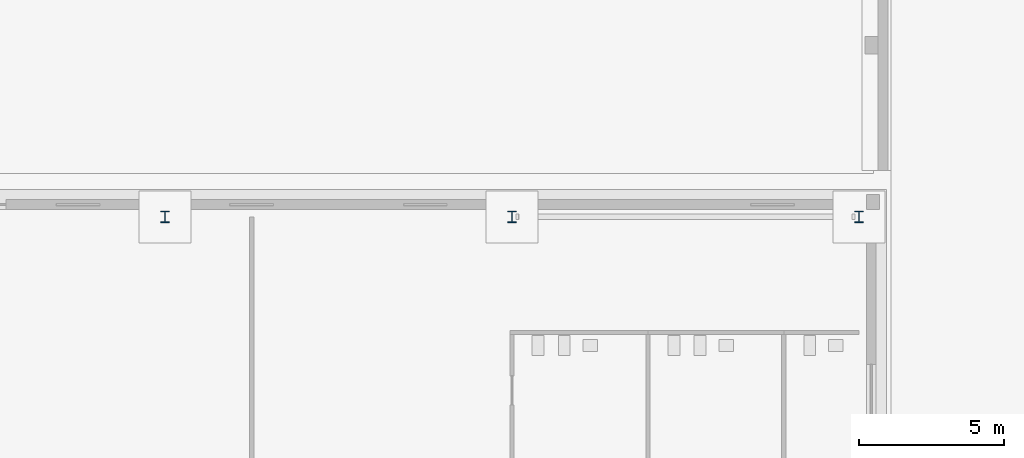
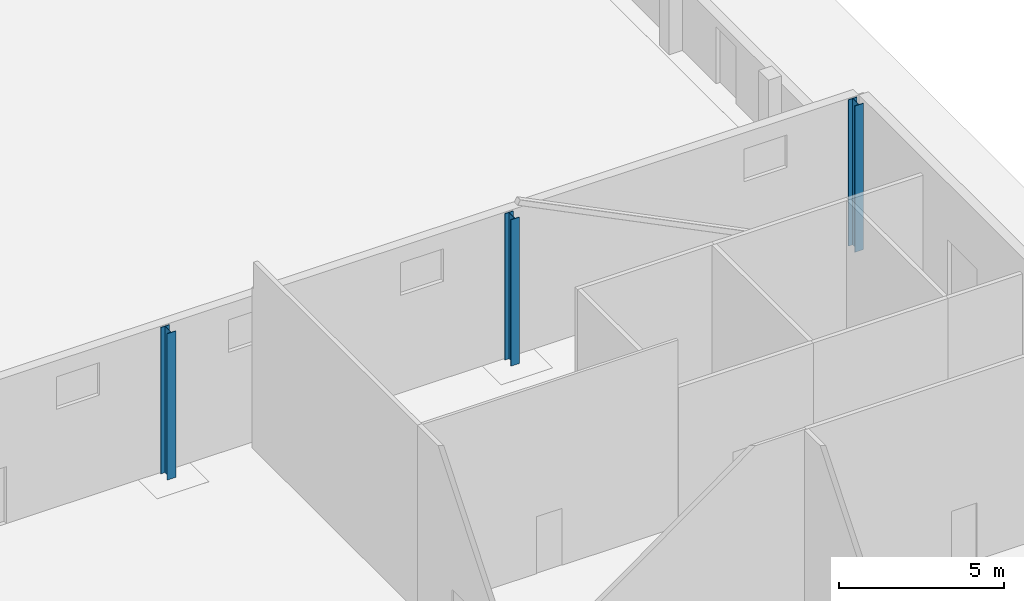
# One storey, part 52 of 132: 3 columns.
"""IFC4 building model written with IfcOpenShell, lengths in metres."""

import ifcopenshell
import ifcopenshell.guid

model = None  # the IFC model being written
_history = None  # IfcOwnerHistory: only IFC2X3 demands one
_inside = {}  # id of a spatial element -> (the spatial element, [elements in it])
_under = {}  # id of a project, library or spatial element -> (it, [spatial elements below it])
_declared = {}  # id of a project -> (the project, [libraries it declares])
_typed = {}  # id of a type object -> (the type object, [elements of that type])
_made_of = {}  # id of a material, layer set ... -> (it, [elements and type objects made of it])


def new_model(schema):
    """Start an empty IFC model of exactly this schema.

    Asked for "IFC4X3", IfcOpenShell would pick the latest addendum, in which some entities
    have other attributes; the version numbers below select the first issue.
    IFC2X3 requires an IfcOwnerHistory on every rooted entity: one is made here for all.
    """
    global model, _history
    if schema == "IFC4X3":
        model = ifcopenshell.file(schema_version=(4, 3, 0, 0))
    else:
        model = ifcopenshell.file(schema=schema)
    _inside.clear()
    _under.clear()
    _declared.clear()
    _typed.clear()
    _made_of.clear()
    _history = None
    if model.schema == "IFC2X3":
        org = make("IfcOrganization", Name="unknown")
        user = make(
            "IfcPersonAndOrganization",
            ThePerson=make("IfcPerson", FamilyName="unknown"),
            TheOrganization=org,
        )
        app = make(
            "IfcApplication",
            ApplicationDeveloper=org,
            Version="unknown",
            ApplicationFullName="unknown",
            ApplicationIdentifier="unknown",
        )
        _history = make(
            "IfcOwnerHistory",
            OwningUser=user,
            OwningApplication=app,
            ChangeAction="ADDED",
            CreationDate=0,
        )
    return model


def make(cls, **values):
    """One entity of the class cls with the attributes given. An attribute that is None is left unset."""
    return model.create_entity(
        cls, **{name: value for name, value in values.items() if value is not None}
    )


def rooted(cls, **values):
    """An entity with a GlobalId (a new one), such as an element, a storey or a relation."""
    return make(cls, GlobalId=ifcopenshell.guid.new(), OwnerHistory=_history, **values)


def si_unit(unit_type, name, prefix=None):
    """IfcSIUnit, for example si_unit("LENGTHUNIT", "METRE", prefix="MILLI")."""
    return make("IfcSIUnit", UnitType=unit_type, Prefix=prefix, Name=name)


def assignment(units):
    """IfcUnitAssignment: the units of a project."""
    return None if units is None else make("IfcUnitAssignment", Units=units)


def point(xyz):
    """IfcCartesianPoint."""
    return None if xyz is None else make("IfcCartesianPoint", Coordinates=xyz)


def direction(xyz):
    """IfcDirection."""
    return None if xyz is None else make("IfcDirection", DirectionRatios=xyz)


def frame(location, z_axis=None, x_axis=None):
    """IfcAxis2Placement3D, a coordinate frame: its origin and axes. An axis left out is left unset."""
    return make(
        "IfcAxis2Placement3D",
        Location=point(location),
        Axis=direction(z_axis),
        RefDirection=direction(x_axis),
    )


def frame_2d(location, x_axis=None):
    """IfcAxis2Placement2D, a coordinate frame in the plane: its origin and x axis."""
    return make(
        "IfcAxis2Placement2D", Location=point(location), RefDirection=direction(x_axis)
    )


def origin():
    """The frame at (0, 0, 0) with its axes left unset."""
    return frame((0.0, 0.0, 0.0))


def origin_2d():
    """The frame at (0, 0) in the plane with its x axis left unset."""
    return frame_2d((0.0, 0.0))


def place(relative_to, where):
    """IfcLocalPlacement: puts the frame where relative to a parent placement (None: the world)."""
    return make(
        "IfcLocalPlacement", PlacementRelTo=relative_to, RelativePlacement=where
    )


def context(
    kind, dimensions, precision=None, world=None, true_north=None, identifier=None
):
    """IfcGeometricRepresentationContext, for example the 3D "Model" context."""
    return make(
        "IfcGeometricRepresentationContext",
        ContextIdentifier=identifier,
        ContextType=kind,
        CoordinateSpaceDimension=dimensions,
        Precision=precision,
        WorldCoordinateSystem=world,
        TrueNorth=true_north,
    )


def subcontext(parent, identifier, kind, view, scale=None):
    """IfcGeometricRepresentationSubContext, for example "Body" below "Model"."""
    return make(
        "IfcGeometricRepresentationSubContext",
        ContextIdentifier=identifier,
        ContextType=kind,
        ParentContext=parent,
        TargetScale=scale,
        TargetView=view,
    )


def project(units=None, contexts=None):
    """IfcProject with its units and contexts."""
    return rooted(
        "IfcProject",
        Name="project",
        RepresentationContexts=contexts,
        UnitsInContext=assignment(units),
    )


def spatial(cls, under=None, at=None, **own):
    """A site, building, storey or space (cls), placed at a placement, below another one or the project."""
    s = rooted(cls, ObjectPlacement=at, **own)
    if under is not None:
        _under.setdefault(under.id(), (under, []))[1].append(s)
    return s


def profile(cls, at=None, kind="AREA", **sizes):
    """A parametric profile (cls). Its sizes go by their IFC names, for example OverallWidth=200.0."""
    return make(cls, ProfileType=kind, Position=at, **sizes)


def i_section(**sizes):
    """IfcIShapeProfileDef."""
    return profile("IfcIShapeProfileDef", **sizes)


def extrude(swept, where, along, depth):
    """IfcExtrudedAreaSolid: the profile swept, set in the frame where, extruded along a direction by depth."""
    return make(
        "IfcExtrudedAreaSolid",
        SweptArea=swept,
        Position=where,
        ExtrudedDirection=direction(along),
        Depth=depth,
    )


def shape(context_of_items, identifier, shape_type, items):
    """IfcShapeRepresentation: the items that make up one representation, for example the "Body"."""
    return make(
        "IfcShapeRepresentation",
        ContextOfItems=context_of_items,
        RepresentationIdentifier=identifier,
        RepresentationType=shape_type,
        Items=items,
    )


def material(Name=None, Category=None):
    """IfcMaterial."""
    return make("IfcMaterial", Name=Name, Category=Category)


def material_profile(
    of_material, cross_section, Name=None, Category=None, Priority=None
):
    """IfcMaterialProfile: a cross section and its material."""
    return make(
        "IfcMaterialProfile",
        Name=Name,
        Material=of_material,
        Profile=cross_section,
        Priority=Priority,
        Category=Category,
    )


def profile_set(profiles, Name=None, composite=None):
    """IfcMaterialProfileSet."""
    return make(
        "IfcMaterialProfileSet",
        Name=Name,
        MaterialProfiles=profiles,
        CompositeProfile=composite,
    )


def made_of(thing, what):
    """Note that an element or type object is made of a material, layer set ...; save() writes the relation."""
    if what is not None:
        _made_of.setdefault(what.id(), (what, []))[1].append(thing)
    return thing


def type_object(cls, material=None, **own):
    """A type object (cls), such as IfcWallType, which elements share."""
    return made_of(rooted(cls, **own), material)


def element(
    cls,
    number,
    at=None,
    inside=None,
    cuts=None,
    type_object=None,
    material=None,
    context=None,
    identifier="Body",
    shape_type=None,
    held_by="IfcProductDefinitionShape",
    body=None,
    shapes=None,
    **own,
):
    """One element of the class cls, such as IfcWall. Its Tag is "e" and its number.

    at: its placement. inside: the storey or other place that contains it. cuts: it is an
    opening in that element (IfcRelVoidsElement). A single representation is given by context,
    identifier, shape_type and body (its items); several are given by shapes. held_by: the class
    of the entity that holds the representations. save() writes the other relations.
    """
    e = rooted(cls, Tag="e%d" % number, ObjectPlacement=at, **own)
    if body is not None:
        shapes = [shape(context, identifier, shape_type, body)]
    if shapes is not None:
        e.Representation = make(held_by, Representations=shapes)
    if inside is not None:
        _inside.setdefault(inside.id(), (inside, []))[1].append(e)
    if cuts is not None:
        rooted(
            "IfcRelVoidsElement", RelatingBuildingElement=cuts, RelatedOpeningElement=e
        )
    if type_object is not None:
        _typed.setdefault(type_object.id(), (type_object, []))[1].append(e)
    return made_of(e, material)


def aggregate(whole, parts):
    """IfcRelAggregates: a whole, such as a stair, and the parts it consists of."""
    return rooted("IfcRelAggregates", RelatingObject=whole, RelatedObjects=parts)


def save(model, path):
    """Write the relations noted so far, then the file.

    IfcRelAggregates (storeys below a building ...), IfcRelContainedInSpatialStructure (elements
    in a storey), IfcRelDefinesByType, IfcRelAssociatesMaterial and IfcRelDeclares: one each for
    every whole, place, type object, material and project.
    """
    for whole, parts in _under.values():
        aggregate(whole, parts)
    for where, things in _inside.values():
        rooted(
            "IfcRelContainedInSpatialStructure",
            RelatedElements=things,
            RelatingStructure=where,
        )
    for kind, things in _typed.values():
        rooted("IfcRelDefinesByType", RelatedObjects=things, RelatingType=kind)
    for what, things in _made_of.values():
        rooted("IfcRelAssociatesMaterial", RelatedObjects=things, RelatingMaterial=what)
    for by, libraries in _declared.values():
        rooted("IfcRelDeclares", RelatingContext=by, RelatedDefinitions=libraries)
    model.write(path)


model = new_model("IFC4")

# Units and contexts
model_context = context("Model", 3, precision=1e-05, world=origin(), true_north=direction((0.0, 1.0)))
body_context = subcontext(model_context, "Body", "Model", "MODEL_VIEW")
ifc_project = project(units=[si_unit("LENGTHUNIT", "METRE"), si_unit("AREAUNIT", "SQUARE_METRE"), si_unit("VOLUMEUNIT", "CUBIC_METRE"), si_unit("PLANEANGLEUNIT", "RADIAN"), si_unit("MASSUNIT", "GRAM", prefix="KILO")], contexts=[model_context])

# Site, building, storey
site_placement = place(None, origin())
site = spatial("IfcSite", under=ifc_project, at=site_placement, CompositionType="ELEMENT")
building_placement = place(site_placement, origin())
building = spatial("IfcBuilding", under=site, at=building_placement, Name="Ravi Spectrum Wholesale Market", CompositionType="ELEMENT")
storey_placement = place(building_placement, origin())
storey = spatial("IfcBuildingStorey", under=building, at=storey_placement, Name="L00", CompositionType="ELEMENT", Elevation=0.0)

# Columns
ifc_material = material(Name="Steel S355", Category="steel")
ifc_material_profile = material_profile(ifc_material, i_section(OverallWidth=0.300048828125, OverallDepth=0.39990234375, WebThickness=0.013427734375, FlangeThickness=0.02392578125, at=origin_2d()))
ifc_profile_set = profile_set([ifc_material_profile], Name="Steel S355")
column_type = type_object("IfcColumnType", Name="HEB 400 column", PredefinedType="COLUMN", material=ifc_profile_set)
for number, where, z_axis, x_axis, name in (
    (1, (270.0, 186.0, 0.0), (0.0, 0.0, 1.0), (1.0, 0.0, 0.0), "GS-COL-L00-010"),
    (2, (282.0, 186.0, 0.0), (0.0, 0.0, 1.0), (1.0, 0.0, 0.0), "GS-COL-L00-012"),
    (3, (294.0, 186.0, 0.0), (0.0, 0.0, 1.0), (1.0, 0.0, 0.0), "GS-COL-L00-014"),
):
    element("IfcColumn", number, at=place(storey_placement, frame(where, z_axis=z_axis, x_axis=x_axis)), inside=storey, type_object=column_type, Name=name, PredefinedType="COLUMN", context=body_context, shape_type="SweptSolid", body=[
        extrude(i_section(OverallWidth=0.300048828125, OverallDepth=0.39990234375, WebThickness=0.013427734375, FlangeThickness=0.02392578125, at=origin_2d()), origin(), (0.0, 0.0, 1.0), 5.39990234375),
    ])

save(model, "model.ifc")
